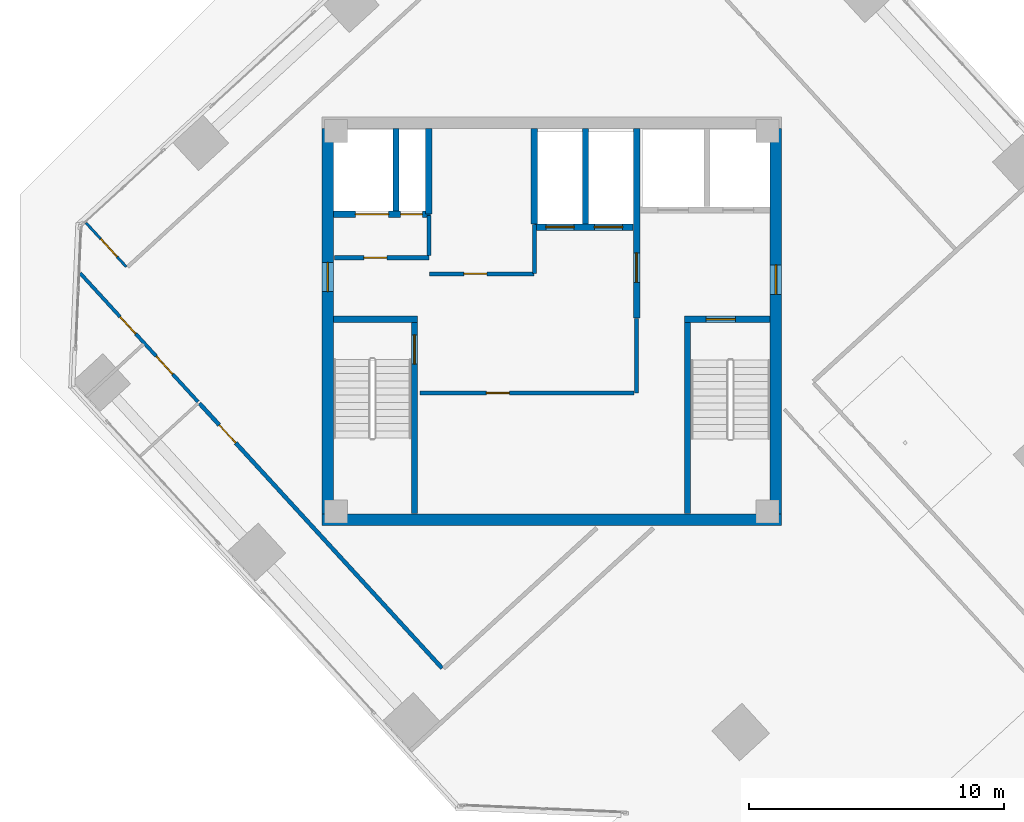
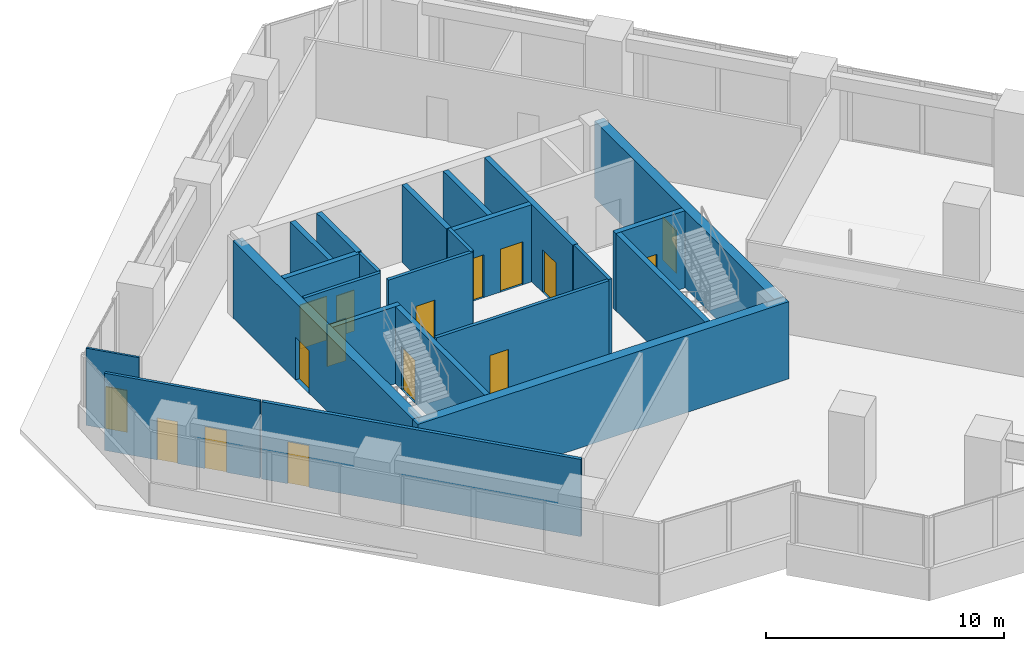
# One storey, part 12 of 17: 23 walls, 16 doors, 16 openings.
"""IFC4 building model written with IfcOpenShell, lengths in metres."""

from ifc_helpers import new_model, si_unit, direction, frame, frame_2d, origin, place, context, subcontext, project, spatial, rectangle, extrude, source, transform, mapped, material, layer, layer_set, type_object, element, fill, save


model = new_model("IFC4")

# Units and contexts
model_context = context("Model", 3, precision=1e-05, world=origin(), true_north=direction((0.0, 1.0)))
body_context = subcontext(model_context, "Body", "Model", "MODEL_VIEW")
ifc_project = project(units=[si_unit("LENGTHUNIT", "METRE"), si_unit("AREAUNIT", "SQUARE_METRE"), si_unit("VOLUMEUNIT", "CUBIC_METRE"), si_unit("PLANEANGLEUNIT", "RADIAN"), si_unit("MASSUNIT", "GRAM", prefix="KILO")], contexts=[model_context])

# Site, building, storey
site_placement = place(None, origin())
site = spatial("IfcSite", under=ifc_project, at=site_placement, CompositionType="ELEMENT")
building_placement = place(site_placement, origin())
building = spatial("IfcBuilding", under=site, at=building_placement, Name="Torre Montelarca", CompositionType="ELEMENT")
storey_placement = place(building_placement, frame((0.0, 0.0, 254.199951171875)))
storey = spatial("IfcBuildingStorey", under=building, at=storey_placement, Name="L57", CompositionType="ELEMENT", Elevation=254.199951171875)

# Wall, opening, door
ifc_material_1 = material(Name="Concrete C40/50", Category="concrete")
ifc_layer_1 = layer(ifc_material_1, 0.25, Name="Concrete C40/50", Category="concrete")
ifc_layer_set_1 = layer_set([ifc_layer_1], Name="Concrete C40/50")
wall_type_1 = type_object("IfcWallType", Name="CW-SHAFT-250", PredefinedType="SHEAR", material=ifc_layer_set_1)
wall_1_placement = place(storey_placement, frame((12.625, 24.4599609375, 0.0), z_axis=(0.0, 0.0, 1.0), x_axis=(0.0, 1.0, 0.0)))
wall_1 = element("IfcWall", 1, at=wall_1_placement, inside=storey, type_object=wall_type_1, Name="L57 Core Shear Wall SH-ST1-E", PredefinedType="SHEAR", context=body_context, shape_type="SweptSolid", body=[
    extrude(rectangle(XDim=7.489990234375, YDim=0.25, at=frame_2d((3.7451171875, 0.0))), origin(), (0.0, 0.0, 1.0), 3.9599609375),
])
opening_1_placement = place(wall_1_placement, frame((5.85009765625, 0.0, 0.0)))
opening_1 = element("IfcOpeningElement", 2, at=opening_1_placement, cuts=wall_1, Name="Opening FD-ST1", PredefinedType="OPENING", context=body_context, shape_type="SweptSolid", body=[
    extrude(rectangle(XDim=1.14990234375, YDim=2.199951171875, at=frame_2d((0.574951171875, 1.10009765625))), frame((0.0, 0.135009765625, 0.0), z_axis=(0.0, -1.0, 0.0), x_axis=(1.0, 0.0, 0.0)), (0.0, 0.0, 1.0), 0.27001953125),
])
ifc_material_2 = material(Name="Galvanized steel fire door", Category="steel")
door_type_1 = type_object("IfcDoorType", Name="DR-STAIR-115", OperationType="NOTDEFINED", PredefinedType="DOOR", material=ifc_material_2)
shared_shape_1 = source(origin(), body_context, "Body", "SweptSolid", [
    extrude(rectangle(XDim=1.14990234375, YDim=2.199951171875, at=frame_2d((0.574951171875, 1.10009765625))), frame((0.0, 0.02490234375, 0.0), z_axis=(0.0, -1.0, 0.0), x_axis=(1.0, 0.0, 0.0)), (0.0, 0.0, 1.0), 0.050048828125),
])
door_1_placement = place(opening_1_placement, origin())
door_1 = element("IfcDoor", 3, at=door_1_placement, inside=storey, type_object=door_type_1, Name="L57 Exit Stair ST1 Fire Door", OperationType="SINGLE_SWING_RIGHT", OverallHeight=2.199951171875, OverallWidth=1.14990234375, PredefinedType="DOOR", context=body_context, shape_type="MappedRepresentation", body=[
    mapped(shared_shape_1, transform((0.0, 0.0, 0.0), scale=1.0)),
])
fill(opening_1, door_1)

# Walls
wall_2_placement = place(storey_placement, frame((9.4599609375, 32.074951171875, 0.0), z_axis=(0.0, 0.0, 1.0), x_axis=(1.0, 0.0, 0.0)))
element("IfcWall", 4, at=wall_2_placement, inside=storey, type_object=wall_type_1, Name="L57 Core Shear Wall SH-ST1-N", PredefinedType="SHEAR", context=body_context, shape_type="SweptSolid", body=[
    extrude(rectangle(XDim=3.2900390625, YDim=0.25, at=frame_2d((1.64501953125, 0.0))), origin(), (0.0, 0.0, 1.0), 3.9599609375),
])
wall_3_placement = place(storey_placement, frame((23.31494140625, 24.4599609375, 0.0), z_axis=(0.0, 0.0, 1.0), x_axis=(0.0, 1.0, 0.0)))
element("IfcWall", 5, at=wall_3_placement, inside=storey, type_object=wall_type_1, Name="L57 Core Shear Wall SH-ST2-W", PredefinedType="SHEAR", context=body_context, shape_type="SweptSolid", body=[
    extrude(rectangle(XDim=7.489990234375, YDim=0.25, at=frame_2d((3.7451171875, 0.0))), origin(), (0.0, 0.0, 1.0), 3.9599609375),
])

# Wall, opening, door
wall_4_placement = place(storey_placement, frame((23.18994140625, 32.074951171875, 0.0), z_axis=(0.0, 0.0, 1.0), x_axis=(1.0, 0.0, 0.0)))
wall_4 = element("IfcWall", 6, at=wall_4_placement, inside=storey, type_object=wall_type_1, Name="L57 Core Shear Wall SH-ST2-N", PredefinedType="SHEAR", context=body_context, shape_type="SweptSolid", body=[
    extrude(rectangle(XDim=3.35009765625, YDim=0.25, at=frame_2d((1.675048828125, 0.0))), origin(), (0.0, 0.0, 1.0), 3.9599609375),
])
opening_2_placement = place(wall_4_placement, frame((0.85009765625, 0.0, 0.0)))
opening_2 = element("IfcOpeningElement", 7, at=opening_2_placement, cuts=wall_4, Name="Opening FD-ST1", PredefinedType="OPENING", context=body_context, shape_type="SweptSolid", body=[
    extrude(rectangle(XDim=1.14990234375, YDim=2.199951171875, at=frame_2d((0.574951171875, 1.10009765625))), frame((0.0, 0.135009765625, 0.0), z_axis=(0.0, -1.0, 0.0), x_axis=(1.0, 0.0, 0.0)), (0.0, 0.0, 1.0), 0.27001953125),
])
door_2_placement = place(opening_2_placement, origin())
door_2 = element("IfcDoor", 8, at=door_2_placement, inside=storey, type_object=door_type_1, Name="L57 Exit Stair ST2 Fire Door", OperationType="SINGLE_SWING_RIGHT", OverallHeight=2.199951171875, OverallWidth=1.14990234375, PredefinedType="DOOR", context=body_context, shape_type="MappedRepresentation", body=[
    mapped(shared_shape_1, transform((0.0, 0.0, 0.0), scale=1.0)),
])
fill(opening_2, door_2)

wall_5_placement = place(storey_placement, frame((21.320068359375, 32.1201171875, 0.0), z_axis=(0.0, 0.0, 1.0), x_axis=(0.0, 1.0, 0.0)))
wall_5 = element("IfcWall", 9, at=wall_5_placement, inside=storey, type_object=wall_type_1, Name="L57 Core Shear Wall SH-FFL-W", PredefinedType="SHEAR", context=body_context, shape_type="SweptSolid", body=[
    extrude(rectangle(XDim=7.419921875, YDim=0.25, at=frame_2d((3.7099609375, 0.0))), origin(), (0.0, 0.0, 1.0), 3.9599609375),
])
opening_3_placement = place(wall_5_placement, frame((1.39990234375, 0.0, 0.0)))
opening_3 = element("IfcOpeningElement", 10, at=opening_3_placement, cuts=wall_5, Name="Opening FD-LB1", PredefinedType="OPENING", context=body_context, shape_type="SweptSolid", body=[
    extrude(rectangle(XDim=1.14990234375, YDim=2.199951171875, at=frame_2d((0.574951171875, 1.10009765625))), frame((0.0, 0.135009765625, 0.0), z_axis=(0.0, -1.0, 0.0), x_axis=(1.0, 0.0, 0.0)), (0.0, 0.0, 1.0), 0.27001953125),
])
ifc_material_3 = material(Name="Acoustic timber-veneered fire door", Category="wood")
door_type_2 = type_object("IfcDoorType", Name="DR-LOBBY-115", OperationType="NOTDEFINED", PredefinedType="DOOR", material=ifc_material_3)
shared_shape_2 = source(origin(), body_context, "Body", "SweptSolid", [
    extrude(rectangle(XDim=1.14990234375, YDim=2.199951171875, at=frame_2d((0.574951171875, 1.10009765625))), frame((0.0, 0.02490234375, 0.0), z_axis=(0.0, -1.0, 0.0), x_axis=(1.0, 0.0, 0.0)), (0.0, 0.0, 1.0), 0.050048828125),
])
door_3_placement = place(opening_3_placement, origin())
door_3 = element("IfcDoor", 11, at=door_3_placement, inside=storey, type_object=door_type_2, Name="L57 Lift Lobby to Firefighting Lobby Smoke Door", OperationType="SINGLE_SWING_LEFT", OverallHeight=2.199951171875, OverallWidth=1.14990234375, PredefinedType="DOOR", context=body_context, shape_type="MappedRepresentation", body=[
    mapped(shared_shape_2, transform((0.0, 0.0, 0.0), scale=1.0)),
])
fill(opening_3, door_3)

# Wall, openings, doors
wall_6_placement = place(storey_placement, frame((9.4599609375, 36.179931640625, 0.0), z_axis=(0.0, 0.0, 1.0), x_axis=(1.0, 0.0, 0.0)))
wall_6 = element("IfcWall", 12, at=wall_6_placement, inside=storey, type_object=wall_type_1, Name="L57 Core Shear Wall SH-SV1-S", PredefinedType="SHEAR", context=body_context, shape_type="SweptSolid", body=[
    extrude(rectangle(XDim=3.7900390625, YDim=0.25, at=frame_2d((1.89501953125, 0.0))), origin(), (0.0, 0.0, 1.0), 3.9599609375),
])
opening_4_placement = place(wall_6_placement, frame((2.6201171875, 0.0, 0.0)))
opening_4 = element("IfcOpeningElement", 13, at=opening_4_placement, cuts=wall_6, Name="Opening FD-085", PredefinedType="OPENING", context=body_context, shape_type="SweptSolid", body=[
    extrude(rectangle(XDim=0.85009765625, YDim=2.10009765625, at=frame_2d((0.425048828125, 1.050048828125))), frame((0.0, 0.135009765625, 0.0), z_axis=(0.0, -1.0, 0.0), x_axis=(1.0, 0.0, 0.0)), (0.0, 0.0, 1.0), 0.27001953125),
])
opening_5_placement = place(wall_6_placement, frame((0.85009765625, 0.0, 0.0)))
opening_5 = element("IfcOpeningElement", 14, at=opening_5_placement, cuts=wall_6, Name="Opening LD-130", PredefinedType="OPENING", context=body_context, shape_type="SweptSolid", body=[
    extrude(rectangle(XDim=1.300048828125, YDim=2.25, at=frame_2d((0.64990234375, 1.125))), frame((0.0, 0.135009765625, 0.0), z_axis=(0.0, -1.0, 0.0), x_axis=(1.0, 0.0, 0.0)), (0.0, 0.0, 1.0), 0.27001953125),
])
ifc_material_4 = material(Name="Steel riser access fire door", Category="steel")
door_type_3 = type_object("IfcDoorType", Name="DR-RISER-085", OperationType="NOTDEFINED", PredefinedType="DOOR", material=ifc_material_4)
shared_shape_3 = source(origin(), body_context, "Body", "SweptSolid", [
    extrude(rectangle(XDim=0.85009765625, YDim=2.10009765625, at=frame_2d((0.425048828125, 1.050048828125))), frame((0.0, 0.02490234375, 0.0), z_axis=(0.0, -1.0, 0.0), x_axis=(1.0, 0.0, 0.0)), (0.0, 0.0, 1.0), 0.050048828125),
])
door_4_placement = place(opening_4_placement, origin())
door_4 = element("IfcDoor", 15, at=door_4_placement, inside=storey, type_object=door_type_3, Name="L57 Electrical Riser Shaft Access Door", OperationType="SINGLE_SWING_RIGHT", OverallHeight=2.10009765625, OverallWidth=0.85009765625, PredefinedType="DOOR", context=body_context, shape_type="MappedRepresentation", body=[
    mapped(shared_shape_3, transform((0.0, 0.0, 0.0), scale=1.0)),
])
fill(opening_4, door_4)
ifc_material_5 = material(Name="Brushed stainless steel AISI 316", Category="steel")
door_type_4 = type_object("IfcDoorType", Name="DR-LIFT-130", OperationType="SLIDING_TO_LEFT", PredefinedType="DOOR", material=ifc_material_5)
shared_shape_4 = source(origin(), body_context, "Body", "SweptSolid", [
    extrude(rectangle(XDim=1.300048828125, YDim=2.25, at=frame_2d((0.64990234375, 1.125))), frame((0.0, 0.02490234375, 0.0), z_axis=(0.0, -1.0, 0.0), x_axis=(1.0, 0.0, 0.0)), (0.0, 0.0, 1.0), 0.050048828125),
])
door_5_placement = place(opening_5_placement, origin())
door_5 = element("IfcDoor", 16, at=door_5_placement, inside=storey, type_object=door_type_4, Name="L57 Lift Landing Sliding Door SV-1", OperationType="SLIDING_TO_LEFT", OverallHeight=2.25, OverallWidth=1.300048828125, PredefinedType="DOOR", context=body_context, shape_type="MappedRepresentation", body=[
    mapped(shared_shape_4, transform((0.0, 0.0, 0.0), scale=1.0)),
])
fill(opening_5, door_5)

# Walls
wall_7_placement = place(storey_placement, frame((11.89990234375, 36.31005859375, 0.0), z_axis=(0.0, 0.0, 1.0), x_axis=(0.0, 1.0, 0.0)))
element("IfcWall", 17, at=wall_7_placement, inside=storey, type_object=wall_type_1, Name="L57 Core Shear Wall SH-SV1-E", PredefinedType="SHEAR", context=body_context, shape_type="SweptSolid", body=[
    extrude(rectangle(XDim=3.22998046875, YDim=0.25, at=frame_2d((1.614990234375, 0.0))), origin(), (0.0, 0.0, 1.0), 3.9599609375),
])
wall_8_placement = place(storey_placement, frame((13.179931640625, 36.199951171875, 0.0), z_axis=(0.0, 0.0, 1.0), x_axis=(0.0, 1.0, 0.0)))
element("IfcWall", 18, at=wall_8_placement, inside=storey, type_object=wall_type_1, Name="L57 Core Shear Wall SH-RSR1-E", PredefinedType="SHEAR", context=body_context, shape_type="SweptSolid", body=[
    extrude(rectangle(XDim=3.340087890625, YDim=0.25, at=frame_2d((1.669921875, 0.0))), origin(), (0.0, 0.0, 1.0), 3.9599609375),
])

# Wall, openings, doors
wall_9_placement = place(storey_placement, frame((17.320068359375, 35.679931640625, 0.0), z_axis=(0.0, 0.0, 1.0), x_axis=(1.0, 0.0, 0.0)))
wall_9 = element("IfcWall", 19, at=wall_9_placement, inside=storey, type_object=wall_type_1, Name="L57 Core Shear Wall SH-PLH-S", PredefinedType="SHEAR", context=body_context, shape_type="SweptSolid", body=[
    extrude(rectangle(XDim=3.869873046875, YDim=0.25, at=frame_2d((1.93505859375, 0.0))), origin(), (0.0, 0.0, 1.0), 3.9599609375),
])
opening_6_placement = place(wall_9_placement, frame((0.449951171875, 0.0, 0.0)))
opening_6 = element("IfcOpeningElement", 20, at=opening_6_placement, cuts=wall_9, Name="Opening LD-110", PredefinedType="OPENING", context=body_context, shape_type="SweptSolid", body=[
    extrude(rectangle(XDim=1.10009765625, YDim=2.199951171875, at=frame_2d((0.550048828125, 1.10009765625))), frame((0.0, 0.135009765625, 0.0), z_axis=(0.0, -1.0, 0.0), x_axis=(1.0, 0.0, 0.0)), (0.0, 0.0, 1.0), 0.27001953125),
])
opening_7_placement = place(wall_9_placement, frame((2.35009765625, 0.0, 0.0)))
opening_7 = element("IfcOpeningElement", 21, at=opening_7_placement, cuts=wall_9, Name="Opening LD-110", PredefinedType="OPENING", context=body_context, shape_type="SweptSolid", body=[
    extrude(rectangle(XDim=1.10009765625, YDim=2.199951171875, at=frame_2d((0.550048828125, 1.10009765625))), frame((0.0, 0.135009765625, 0.0), z_axis=(0.0, -1.0, 0.0), x_axis=(1.0, 0.0, 0.0)), (0.0, 0.0, 1.0), 0.27001953125),
])
door_type_5 = type_object("IfcDoorType", Name="DR-LIFT-110", OperationType="SLIDING_TO_LEFT", PredefinedType="DOOR", material=ifc_material_5)
shared_shape_5 = source(origin(), body_context, "Body", "SweptSolid", [
    extrude(rectangle(XDim=1.10009765625, YDim=2.199951171875, at=frame_2d((0.550048828125, 1.10009765625))), frame((0.0, 0.02490234375, 0.0), z_axis=(0.0, -1.0, 0.0), x_axis=(1.0, 0.0, 0.0)), (0.0, 0.0, 1.0), 0.050048828125),
])
door_6_placement = place(opening_6_placement, origin())
door_6 = element("IfcDoor", 22, at=door_6_placement, inside=storey, type_object=door_type_5, Name="L57 Lift Landing Sliding Door PL-H1", OperationType="SLIDING_TO_LEFT", OverallHeight=2.199951171875, OverallWidth=1.10009765625, PredefinedType="DOOR", context=body_context, shape_type="MappedRepresentation", body=[
    mapped(shared_shape_5, transform((0.0, 0.0, 0.0), scale=1.0)),
])
fill(opening_6, door_6)
door_7_placement = place(opening_7_placement, origin())
door_7 = element("IfcDoor", 23, at=door_7_placement, inside=storey, type_object=door_type_5, Name="L57 Lift Landing Sliding Door PL-H2", OperationType="SLIDING_TO_RIGHT", OverallHeight=2.199951171875, OverallWidth=1.10009765625, PredefinedType="DOOR", context=body_context, shape_type="MappedRepresentation", body=[
    mapped(shared_shape_5, transform((0.0, 0.0, 0.0), scale=1.0)),
])
fill(opening_7, door_7)

# Walls
for number, where, z_axis, x_axis, name in (
    (24, (17.320068359375, 35.81005859375, 0.0), (0.0, 0.0, 1.0), (0.0, 1.0, 0.0), "L57 Core Shear Wall SH-PLH-W"),
    (25, (19.320068359375, 35.81005859375, 0.0), (0.0, 0.0, 1.0), (0.0, 1.0, 0.0), "L57 Core Shear Wall SH-PLH-M"),
):
    element("IfcWall", number, at=place(storey_placement, frame(where, z_axis=z_axis, x_axis=x_axis)), inside=storey, type_object=wall_type_1, Name=name, PredefinedType="SHEAR", context=body_context, shape_type="SweptSolid", body=[
        extrude(rectangle(XDim=3.72998046875, YDim=0.25, at=frame_2d((1.864990234375, 0.0))), origin(), (0.0, 0.0, 1.0), 3.9599609375),
    ])

# Wall, opening, door
ifc_material_6 = material(Name="Concrete C55/67", Category="concrete")
ifc_layer_2 = layer(ifc_material_6, 0.449951171875, Name="Concrete C55/67", Category="concrete")
ifc_layer_set_2 = layer_set([ifc_layer_2], Name="Concrete C55/67")
wall_type_2 = type_object("IfcWallType", Name="CW-SHEAR-450", PredefinedType="SHEAR", material=ifc_layer_set_2)
wall_10_placement = place(storey_placement, frame((9.22509765625, 24.449951171875, 0.0), z_axis=(0.0, 0.0, 1.0), x_axis=(0.0, 1.0, 0.0)))
wall_10 = element("IfcWall", 26, at=wall_10_placement, inside=storey, type_object=wall_type_2, Name="L57 Core Shear Wall CW-W", PredefinedType="SHEAR", context=body_context, shape_type="SweptSolid", body=[
    extrude(rectangle(XDim=15.10009765625, YDim=0.449951171875, at=frame_2d((7.550048828125, 0.0))), origin(), (0.0, 0.0, 1.0), 3.9599609375),
])
opening_8_placement = place(wall_10_placement, frame((8.699951171875, 0.0, 0.0)))
opening_8 = element("IfcOpeningElement", 27, at=opening_8_placement, cuts=wall_10, Name="Opening FD-LB1", PredefinedType="OPENING", context=body_context, shape_type="SweptSolid", body=[
    extrude(rectangle(XDim=1.14990234375, YDim=2.199951171875, at=frame_2d((0.574951171875, 1.10009765625))), frame((0.0, 0.23486328125, 0.0), z_axis=(0.0, -1.0, 0.0), x_axis=(1.0, 0.0, 0.0)), (0.0, 0.0, 1.0), 0.469970703125),
])
door_8_placement = place(opening_8_placement, origin())
door_8 = element("IfcDoor", 28, at=door_8_placement, inside=storey, type_object=door_type_2, Name="L57 Passenger Lift Lobby West Corridor Fire Door", OperationType="SINGLE_SWING_RIGHT", OverallHeight=2.199951171875, OverallWidth=1.14990234375, PredefinedType="DOOR", context=body_context, shape_type="MappedRepresentation", body=[
    mapped(shared_shape_2, transform((0.0, 0.0, 0.0), scale=1.0)),
])
fill(opening_8, door_8)

wall_11_placement = place(storey_placement, frame((26.77490234375, 24.449951171875, 0.0), z_axis=(0.0, 0.0, 1.0), x_axis=(0.0, 1.0, 0.0)))
wall_11 = element("IfcWall", 29, at=wall_11_placement, inside=storey, type_object=wall_type_2, Name="L57 Core Shear Wall CW-E", PredefinedType="SHEAR", context=body_context, shape_type="SweptSolid", body=[
    extrude(rectangle(XDim=15.10009765625, YDim=0.449951171875, at=frame_2d((7.550048828125, 0.0))), origin(), (0.0, 0.0, 1.0), 3.9599609375),
])
opening_9_placement = place(wall_11_placement, frame((8.60009765625, 0.0, 0.0)))
opening_9 = element("IfcOpeningElement", 30, at=opening_9_placement, cuts=wall_11, Name="Opening FD-LB1", PredefinedType="OPENING", context=body_context, shape_type="SweptSolid", body=[
    extrude(rectangle(XDim=1.14990234375, YDim=2.199951171875, at=frame_2d((0.574951171875, 1.10009765625))), frame((0.0, 0.23486328125, 0.0), z_axis=(0.0, -1.0, 0.0), x_axis=(1.0, 0.0, 0.0)), (0.0, 0.0, 1.0), 0.469970703125),
])
door_9_placement = place(opening_9_placement, origin())
door_9 = element("IfcDoor", 31, at=door_9_placement, inside=storey, type_object=door_type_2, Name="L57 Firefighting Lift Lobby Corridor Fire Door", OperationType="SINGLE_SWING_RIGHT", OverallHeight=2.199951171875, OverallWidth=1.14990234375, PredefinedType="DOOR", context=body_context, shape_type="MappedRepresentation", body=[
    mapped(shared_shape_2, transform((0.0, 0.0, 0.0), scale=1.0)),
])
fill(opening_9, door_9)

# Wall
wall_12_placement = place(storey_placement, frame((9.0, 24.22509765625, 0.0), z_axis=(0.0, 0.0, 1.0), x_axis=(1.0, 0.0, 0.0)))
element("IfcWall", 32, at=wall_12_placement, inside=storey, type_object=wall_type_2, Name="L57 Core Shear Wall CW-S1", PredefinedType="SHEAR", context=body_context, shape_type="SweptSolid", body=[
    extrude(rectangle(XDim=18.0, YDim=0.449951171875, at=frame_2d((9.0, 0.0))), origin(), (0.0, 0.0, 1.0), 3.9599609375),
])

# Wall, opening, door
ifc_material_7 = material(Name="Gypsum plasterboard on steel stud", Category="steel")
ifc_layer_3 = layer(ifc_material_7, 0.159912109375, Name="Gypsum plasterboard on steel stud", Category="steel")
ifc_layer_set_3 = layer_set([ifc_layer_3], Name="Gypsum plasterboard on steel stud")
wall_type_3 = type_object("IfcWallType", Name="PW-FIRE-160", PredefinedType="PARTITIONING", material=ifc_layer_set_3)
wall_13_placement = place(storey_placement, frame((9.489990234375, 34.47998046875, 0.0), z_axis=(0.0, 0.0, 1.0), x_axis=(1.0, 0.0, 0.0)))
wall_13 = element("IfcWall", 33, at=wall_13_placement, inside=storey, type_object=wall_type_3, Name="L57 Interior Partition CW-L57-SVS", PredefinedType="PARTITIONING", context=body_context, shape_type="SweptSolid", body=[
    extrude(rectangle(XDim=3.699951171875, YDim=0.159912109375, at=frame_2d((1.85009765625, 0.0))), origin(), (0.0, 0.0, 1.0), 3.9599609375),
])
opening_10_placement = place(wall_13_placement, frame((1.14990234375, 0.0, 0.0)))
opening_10 = element("IfcOpeningElement", 34, at=opening_10_placement, cuts=wall_13, Name="Opening FD-090", PredefinedType="OPENING", context=body_context, shape_type="SweptSolid", body=[
    extrude(rectangle(XDim=0.89990234375, YDim=2.14990234375, at=frame_2d((0.449951171875, 1.074951171875))), frame((0.0, 0.08984375, 0.0), z_axis=(0.0, -1.0, 0.0), x_axis=(1.0, 0.0, 0.0)), (0.0, 0.0, 1.0), 0.179931640625),
])
ifc_material_8 = material(Name="Steel service fire door", Category="steel")
door_type_6 = type_object("IfcDoorType", Name="DR-FIRE-090", OperationType="NOTDEFINED", PredefinedType="DOOR", material=ifc_material_8)
shared_shape_6 = source(origin(), body_context, "Body", "SweptSolid", [
    extrude(rectangle(XDim=0.89990234375, YDim=2.14990234375, at=frame_2d((0.449951171875, 1.074951171875))), frame((0.0, 0.02490234375, 0.0), z_axis=(0.0, -1.0, 0.0), x_axis=(1.0, 0.0, 0.0)), (0.0, 0.0, 1.0), 0.050048828125),
])
door_10_placement = place(opening_10_placement, origin())
door_10 = element("IfcDoor", 35, at=door_10_placement, inside=storey, type_object=door_type_6, Name="L57 Interior Door 01", OperationType="SINGLE_SWING_RIGHT", OverallHeight=2.14990234375, OverallWidth=0.89990234375, PredefinedType="DOOR", context=body_context, shape_type="MappedRepresentation", body=[
    mapped(shared_shape_6, transform((0.0, 0.0, 0.0), scale=1.0)),
])
fill(opening_10, door_10)

# Wall
wall_14_placement = place(storey_placement, frame((13.199951171875, 34.570068359375, 0.0), z_axis=(0.0, 0.0, 1.0), x_axis=(0.0, 1.0, 0.0)))
element("IfcWall", 36, at=wall_14_placement, inside=storey, type_object=wall_type_3, Name="L57 Interior Partition CW-L57-SVE", PredefinedType="PARTITIONING", context=body_context, shape_type="SweptSolid", body=[
    extrude(rectangle(XDim=1.56982421875, YDim=0.159912109375, at=frame_2d((0.784912109375, 0.0))), origin(), (0.0, 0.0, 1.0), 3.9599609375),
])

# Wall, opening, door
wall_15_placement = place(storey_placement, frame((13.2099609375, 33.85009765625, 0.0), z_axis=(0.0, 0.0, 1.0), x_axis=(1.0, 0.0, 0.0)))
wall_15 = element("IfcWall", 37, at=wall_15_placement, inside=storey, type_object=wall_type_3, Name="L57 Interior Partition CW-L57-FRMS", PredefinedType="PARTITIONING", context=body_context, shape_type="SweptSolid", body=[
    extrude(rectangle(XDim=4.10009765625, YDim=0.159912109375, at=frame_2d((2.050048828125, 0.0))), origin(), (0.0, 0.0, 1.0), 3.9599609375),
])
opening_11_placement = place(wall_15_placement, frame((1.35009765625, 0.0, 0.0)))
opening_11 = element("IfcOpeningElement", 38, at=opening_11_placement, cuts=wall_15, Name="Opening FD-090", PredefinedType="OPENING", context=body_context, shape_type="SweptSolid", body=[
    extrude(rectangle(XDim=0.89990234375, YDim=2.14990234375, at=frame_2d((0.449951171875, 1.074951171875))), frame((0.0, 0.08984375, 0.0), z_axis=(0.0, -1.0, 0.0), x_axis=(1.0, 0.0, 0.0)), (0.0, 0.0, 1.0), 0.179931640625),
])
door_11_placement = place(opening_11_placement, origin())
door_11 = element("IfcDoor", 39, at=door_11_placement, inside=storey, type_object=door_type_6, Name="L57 Interior Door 02", OperationType="SINGLE_SWING_LEFT", OverallHeight=2.14990234375, OverallWidth=0.89990234375, PredefinedType="DOOR", context=body_context, shape_type="MappedRepresentation", body=[
    mapped(shared_shape_6, transform((0.0, 0.0, 0.0), scale=1.0)),
])
fill(opening_11, door_11)

# Wall
wall_16_placement = place(storey_placement, frame((17.320068359375, 33.860107421875, 0.0), z_axis=(0.0, 0.0, 1.0), x_axis=(0.0, 1.0, 0.0)))
element("IfcWall", 40, at=wall_16_placement, inside=storey, type_object=wall_type_3, Name="L57 Interior Partition CW-L57-FRME", PredefinedType="PARTITIONING", context=body_context, shape_type="SweptSolid", body=[
    extrude(rectangle(XDim=1.929931640625, YDim=0.159912109375, at=frame_2d((0.96484375, 0.0))), origin(), (0.0, 0.0, 1.0), 3.9599609375),
])

# Wall, opening, door
wall_17_placement = place(storey_placement, frame((12.840087890625, 29.179931640625, 0.0), z_axis=(0.0, 0.0, 1.0), x_axis=(1.0, 0.0, 0.0)))
wall_17 = element("IfcWall", 41, at=wall_17_placement, inside=storey, type_object=wall_type_3, Name="L57 Interior Partition CW-L57-FRDN", PredefinedType="PARTITIONING", context=body_context, shape_type="SweptSolid", body=[
    extrude(rectangle(XDim=8.369873046875, YDim=0.159912109375, at=frame_2d((4.18505859375, 0.0))), origin(), (0.0, 0.0, 1.0), 3.9599609375),
])
opening_12_placement = place(wall_17_placement, frame((2.60009765625, 0.0, 0.0)))
opening_12 = element("IfcOpeningElement", 42, at=opening_12_placement, cuts=wall_17, Name="Opening FD-090", PredefinedType="OPENING", context=body_context, shape_type="SweptSolid", body=[
    extrude(rectangle(XDim=0.89990234375, YDim=2.14990234375, at=frame_2d((0.449951171875, 1.074951171875))), frame((0.0, 0.08984375, 0.0), z_axis=(0.0, -1.0, 0.0), x_axis=(1.0, 0.0, 0.0)), (0.0, 0.0, 1.0), 0.179931640625),
])
door_12_placement = place(opening_12_placement, origin())
door_12 = element("IfcDoor", 43, at=door_12_placement, inside=storey, type_object=door_type_6, Name="L57 Interior Door 03", OperationType="SINGLE_SWING_LEFT", OverallHeight=2.14990234375, OverallWidth=0.89990234375, PredefinedType="DOOR", context=body_context, shape_type="MappedRepresentation", body=[
    mapped(shared_shape_6, transform((0.0, 0.0, 0.0), scale=1.0)),
])
fill(opening_12, door_12)

# Wall
wall_18_placement = place(storey_placement, frame((21.320068359375, 29.18994140625, 0.0), z_axis=(0.0, 0.0, 1.0), x_axis=(0.0, 1.0, 0.0)))
element("IfcWall", 44, at=wall_18_placement, inside=storey, type_object=wall_type_3, Name="L57 Interior Partition CW-L57-FRE", PredefinedType="PARTITIONING", context=body_context, shape_type="SweptSolid", body=[
    extrude(rectangle(XDim=2.920166015625, YDim=0.159912109375, at=frame_2d((1.4599609375, 0.0))), origin(), (0.0, 0.0, 1.0), 3.9599609375),
])

# Wall, opening, door
wall_19_placement = place(storey_placement, frame((4.20263671875, 28.777587890625, 0.0), z_axis=(0.0, 0.0, 1.0), x_axis=(0.675591041558, -0.737276572642, 0.0)))
wall_19 = element("IfcWall", 45, at=wall_19_placement, inside=storey, type_object=wall_type_3, Name="L57 Interior Partition W-L57-SOCCN", PredefinedType="PARTITIONING", context=body_context, shape_type="SweptSolid", body=[
    extrude(rectangle(XDim=14.070068359375, YDim=0.159912109375, at=frame_2d((7.03515625, 0.0))), origin(), (0.0, 0.0, 1.0), 3.9599609375),
])
opening_13_placement = place(wall_19_placement, frame((1.14990234375, 0.0, 0.0)))
opening_13 = element("IfcOpeningElement", 46, at=opening_13_placement, cuts=wall_19, Name="Opening FD-095", PredefinedType="OPENING", context=body_context, shape_type="SweptSolid", body=[
    extrude(rectangle(XDim=0.949951171875, YDim=2.14990234375, at=frame_2d((0.47509765625, 1.074951171875))), frame((0.0, 0.08984375, 0.0), z_axis=(0.0, -1.0, 0.0), x_axis=(1.0, 0.0, 0.0)), (0.0, 0.0, 1.0), 0.179931640625),
])
ifc_material_9 = material(Name="Timber fire-rated room door", Category="wood")
door_type_7 = type_object("IfcDoorType", Name="DR-FIRE-095", OperationType="NOTDEFINED", PredefinedType="DOOR", material=ifc_material_9)
shared_shape_7 = source(origin(), body_context, "Body", "SweptSolid", [
    extrude(rectangle(XDim=0.949951171875, YDim=2.14990234375, at=frame_2d((0.47509765625, 1.074951171875))), frame((0.0, 0.02490234375, 0.0), z_axis=(0.0, -1.0, 0.0), x_axis=(1.0, 0.0, 0.0)), (0.0, 0.0, 1.0), 0.050048828125),
])
door_13_placement = place(opening_13_placement, origin())
door_13 = element("IfcDoor", 47, at=door_13_placement, inside=storey, type_object=door_type_7, Name="L57 Interior Door 06", OperationType="SINGLE_SWING_RIGHT", OverallHeight=2.14990234375, OverallWidth=0.949951171875, PredefinedType="DOOR", context=body_context, shape_type="MappedRepresentation", body=[
    mapped(shared_shape_7, transform((0.0, 0.0, 0.0), scale=1.0)),
])
fill(opening_13, door_13)

ifc_material_10 = material(Name="Acoustic laminated glass partition", Category="glass")
ifc_layer_4 = layer(ifc_material_10, 0.10009765625, Name="Acoustic laminated glass partition", Category="glass")
ifc_layer_set_4 = layer_set([ifc_layer_4], Name="Acoustic laminated glass partition")
wall_type_4 = type_object("IfcWallType", Name="PW-GLAZ-100", PredefinedType="PARTITIONING", material=ifc_layer_set_4)
wall_20_placement = place(storey_placement, frame((-0.238037109375, 35.843994140625, 0.0), z_axis=(0.0, 0.0, 1.0), x_axis=(0.67562972666, -0.737241122329, 0.0)))
wall_20 = element("IfcWall", 48, at=wall_20_placement, inside=storey, type_object=wall_type_4, Name="L57 Interior Partition W-L57-WPKS", PredefinedType="PARTITIONING", context=body_context, shape_type="SweptSolid", body=[
    extrude(rectangle(XDim=2.330078125, YDim=0.10009765625, at=frame_2d((1.1650390625, 0.0))), origin(), (0.0, 0.0, 1.0), 3.9599609375),
])
opening_14_placement = place(wall_20_placement, frame((0.85009765625, 0.0, 0.0)))
opening_14 = element("IfcOpeningElement", 49, at=opening_14_placement, cuts=wall_20, Name="Opening ID-095", PredefinedType="OPENING", context=body_context, shape_type="SweptSolid", body=[
    extrude(rectangle(XDim=0.949951171875, YDim=2.14990234375, at=frame_2d((0.47509765625, 1.074951171875))), frame((0.0, 0.06005859375, 0.0), z_axis=(0.0, -1.0, 0.0), x_axis=(1.0, 0.0, 0.0)), (0.0, 0.0, 1.0), 0.1201171875),
])
ifc_material_11 = material(Name="Hardwood acoustic timber veneer", Category="wood")
door_type_8 = type_object("IfcDoorType", Name="DR-INT-095", OperationType="NOTDEFINED", PredefinedType="DOOR", material=ifc_material_11)
shared_shape_8 = source(origin(), body_context, "Body", "SweptSolid", [
    extrude(rectangle(XDim=0.949951171875, YDim=2.14990234375, at=frame_2d((0.47509765625, 1.074951171875))), frame((0.0, 0.02490234375, 0.0), z_axis=(0.0, -1.0, 0.0), x_axis=(1.0, 0.0, 0.0)), (0.0, 0.0, 1.0), 0.050048828125),
])
door_14_placement = place(opening_14_placement, origin())
door_14 = element("IfcDoor", 50, at=door_14_placement, inside=storey, type_object=door_type_8, Name="L57 Interior Door 09", OperationType="SINGLE_SWING_LEFT", OverallHeight=2.14990234375, OverallWidth=0.949951171875, PredefinedType="DOOR", context=body_context, shape_type="MappedRepresentation", body=[
    mapped(shared_shape_8, transform((0.0, 0.0, 0.0), scale=1.0)),
])
fill(opening_14, door_14)

# Wall, openings, doors
ifc_layer_5 = layer(ifc_material_7, 0.135009765625, Name="Gypsum plasterboard on steel stud", Category="steel")
ifc_layer_set_5 = layer_set([ifc_layer_5], Name="Gypsum plasterboard on steel stud")
wall_type_5 = type_object("IfcWallType", Name="PW-PART-135", PredefinedType="PARTITIONING", material=ifc_layer_set_5)
wall_21_placement = place(storey_placement, frame((-0.473876953125, 33.880859375, 0.0), z_axis=(0.0, 0.0, 1.0), x_axis=(0.675605050901, -0.73726373517, 0.0)))
wall_21 = element("IfcWall", 51, at=wall_21_placement, inside=storey, type_object=wall_type_5, Name="L57 Interior Partition W-L57-WCN", PredefinedType="PARTITIONING", context=body_context, shape_type="SweptSolid", body=[
    extrude(rectangle(XDim=6.842041015625, YDim=0.135009765625, at=frame_2d((3.4208984375, 0.0))), origin(), (0.0, 0.0, 1.0), 3.9599609375),
])
opening_15_placement = place(wall_21_placement, frame((2.320068359375, 0.0, 0.0)))
opening_15 = element("IfcOpeningElement", 52, at=opening_15_placement, cuts=wall_21, Name="Opening ID-090", PredefinedType="OPENING", context=body_context, shape_type="SweptSolid", body=[
    extrude(rectangle(XDim=0.89990234375, YDim=2.14990234375, at=frame_2d((0.449951171875, 1.074951171875))), frame((0.0, 0.07763671875, 0.0), z_axis=(0.0, -1.0, 0.0), x_axis=(1.0, 0.0, 0.0)), (0.0, 0.0, 1.0), 0.155029296875),
])
opening_16_placement = place(wall_21_placement, frame((4.419921875, 0.0, 0.0)))
opening_16 = element("IfcOpeningElement", 53, at=opening_16_placement, cuts=wall_21, Name="Opening ID-095", PredefinedType="OPENING", context=body_context, shape_type="SweptSolid", body=[
    extrude(rectangle(XDim=0.949951171875, YDim=2.14990234375, at=frame_2d((0.47509765625, 1.074951171875))), frame((0.0, 0.07763671875, 0.0), z_axis=(0.0, -1.0, 0.0), x_axis=(1.0, 0.0, 0.0)), (0.0, 0.0, 1.0), 0.155029296875),
])
door_type_9 = type_object("IfcDoorType", Name="DR-INT-090", OperationType="NOTDEFINED", PredefinedType="DOOR", material=ifc_material_11)
shared_shape_9 = source(origin(), body_context, "Body", "SweptSolid", [
    extrude(rectangle(XDim=0.89990234375, YDim=2.14990234375, at=frame_2d((0.449951171875, 1.074951171875))), frame((0.0, 0.02490234375, 0.0), z_axis=(0.0, -1.0, 0.0), x_axis=(1.0, 0.0, 0.0)), (0.0, 0.0, 1.0), 0.050048828125),
])
door_15_placement = place(opening_15_placement, origin())
door_15 = element("IfcDoor", 54, at=door_15_placement, inside=storey, type_object=door_type_9, Name="L57 Interior Door 04", OperationType="SINGLE_SWING_LEFT", OverallHeight=2.14990234375, OverallWidth=0.89990234375, PredefinedType="DOOR", context=body_context, shape_type="MappedRepresentation", body=[
    mapped(shared_shape_9, transform((0.0, 0.0, 0.0), scale=1.0)),
])
fill(opening_15, door_15)
door_16_placement = place(opening_16_placement, origin())
door_16 = element("IfcDoor", 55, at=door_16_placement, inside=storey, type_object=door_type_8, Name="L57 Interior Door 05", OperationType="SINGLE_SWING_RIGHT", OverallHeight=2.14990234375, OverallWidth=0.949951171875, PredefinedType="DOOR", context=body_context, shape_type="MappedRepresentation", body=[
    mapped(shared_shape_8, transform((0.0, 0.0, 0.0), scale=1.0)),
])
fill(opening_16, door_16)

save(model, "model.ifc")
